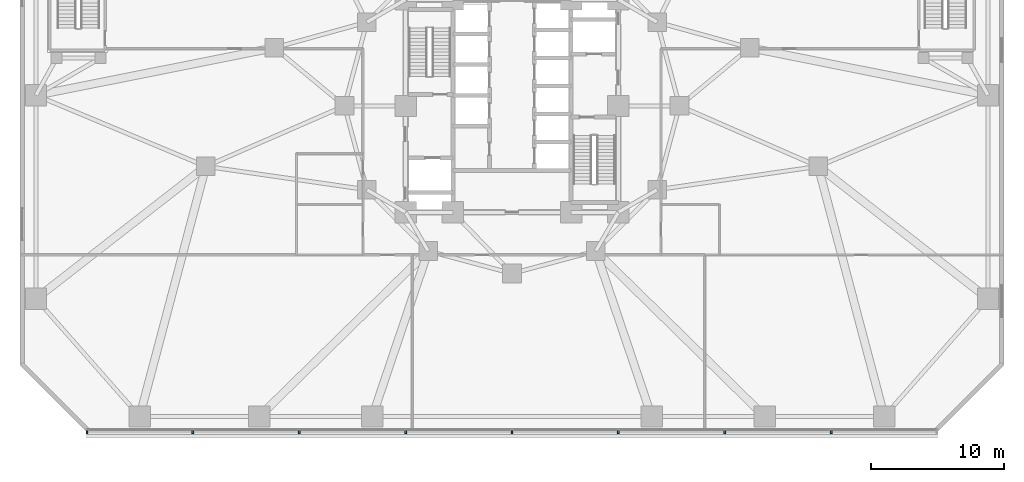
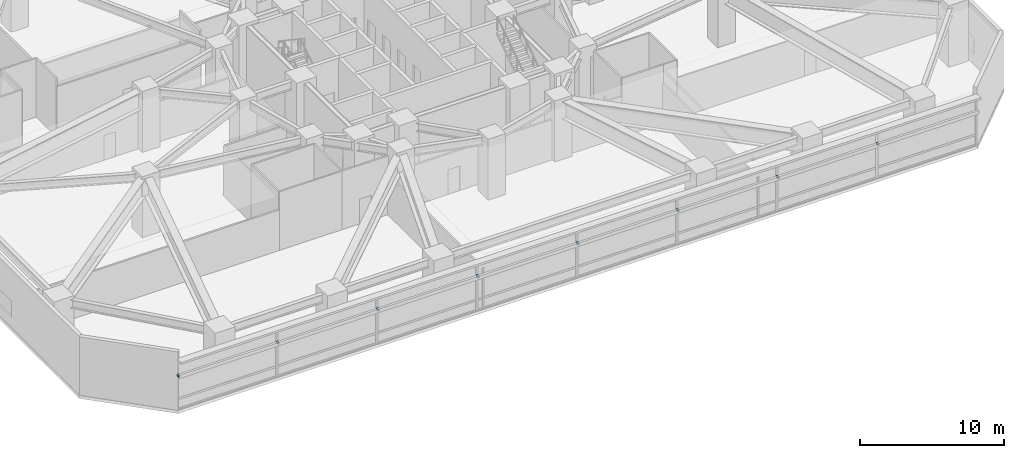
# One storey, part 19 of 27: 8 discrete accessories.
"""IFC4 building model written with IfcOpenShell, lengths in metres."""

from ifc_helpers import new_model, si_unit, direction, frame, origin, origin_2d, place, context, subcontext, project, spatial, rectangle, extrude, material, type_object, element, save


model = new_model("IFC4")

# Units and contexts
model_context = context("Model", 3, precision=1e-05, world=origin(), true_north=direction((0.0, 1.0)))
body_context = subcontext(model_context, "Body", "Model", "MODEL_VIEW")
ifc_project = project(units=[si_unit("LENGTHUNIT", "METRE"), si_unit("AREAUNIT", "SQUARE_METRE"), si_unit("VOLUMEUNIT", "CUBIC_METRE"), si_unit("PLANEANGLEUNIT", "RADIAN"), si_unit("MASSUNIT", "GRAM", prefix="KILO")], contexts=[model_context])

# Site, building, storey
site_placement = place(None, origin())
site = spatial("IfcSite", under=ifc_project, at=site_placement, CompositionType="ELEMENT")
building_placement = place(site_placement, origin())
building = spatial("IfcBuilding", under=site, at=building_placement, Name="Terralouvre Media Tower", CompositionType="ELEMENT")
storey_placement = place(building_placement, frame((0.0, 0.0, 15.60009765625)))
storey = spatial("IfcBuildingStorey", under=building, at=storey_placement, Name="L03", CompositionType="ELEMENT", Elevation=15.60009765625)

# Discrete accessories
ifc_material = material(Name="Anodised extruded aluminium 6063-T6", Category="aluminium")
discrete_accessory_type = type_object("IfcDiscreteAccessoryType", Name="Mullion Stand-Off Baguette Fixing Bracket BK-01", PredefinedType="BRACKET", material=ifc_material)
for number, where, z_axis, x_axis, name in (
    (1, (-31.96240234375, -24.52001953125, 2.87451171875), (0.0, 0.0, 1.0), (1.0, 0.0, 0.0), "CW-L03-F0 Baguette Outrigger Bracket 1.01"),
    (2, (-24.0, -24.52001953125, 2.87451171875), (0.0, 0.0, 1.0), (1.0, 0.0, 0.0), "CW-L03-F0 Baguette Outrigger Bracket 1.02"),
    (3, (-16.0, -24.52001953125, 2.87451171875), (0.0, 0.0, 1.0), (1.0, 0.0, 0.0), "CW-L03-F0 Baguette Outrigger Bracket 1.03"),
    (4, (-8.0, -24.52001953125, 2.87451171875), (0.0, 0.0, 1.0), (1.0, 0.0, 0.0), "CW-L03-F0 Baguette Outrigger Bracket 1.04"),
    (5, (0.0, -24.52001953125, 2.87451171875), (0.0, 0.0, 1.0), (1.0, 0.0, 0.0), "CW-L03-F0 Baguette Outrigger Bracket 1.05"),
    (6, (8.0, -24.52001953125, 2.87451171875), (0.0, 0.0, 1.0), (1.0, 0.0, 0.0), "CW-L03-F0 Baguette Outrigger Bracket 1.06"),
    (7, (16.0, -24.52001953125, 2.87451171875), (0.0, 0.0, 1.0), (1.0, 0.0, 0.0), "CW-L03-F0 Baguette Outrigger Bracket 1.07"),
    (8, (24.0, -24.52001953125, 2.87451171875), (0.0, 0.0, 1.0), (1.0, 0.0, 0.0), "CW-L03-F0 Baguette Outrigger Bracket 1.08"),
):
    element("IfcDiscreteAccessory", number, at=place(storey_placement, frame(where, z_axis=z_axis, x_axis=x_axis)), inside=storey, type_object=discrete_accessory_type, Name=name, PredefinedType="BRACKET", context=body_context, shape_type="SweptSolid", body=[
        extrude(rectangle(XDim=0.139892578125, YDim=0.239990234375, at=origin_2d()), origin(), (0.0, 0.0, 1.0), 0.179931640625),
    ])

save(model, "model.ifc")
